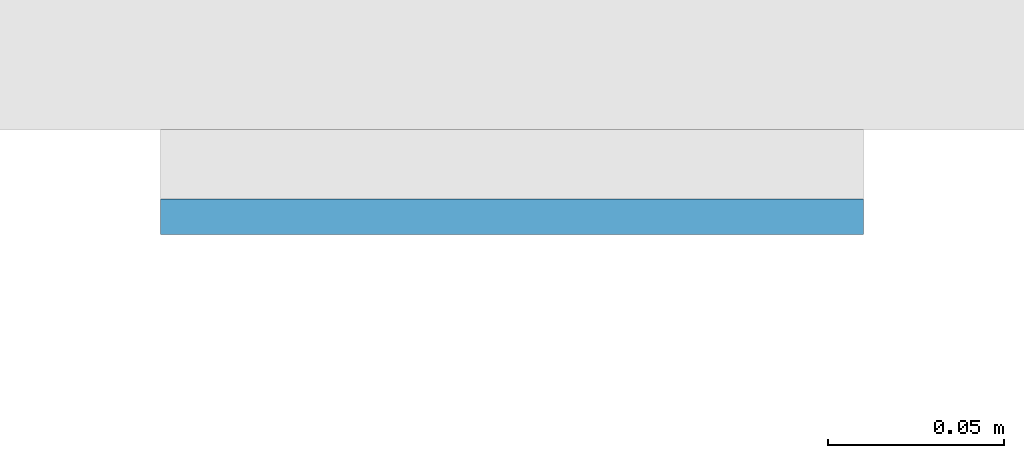
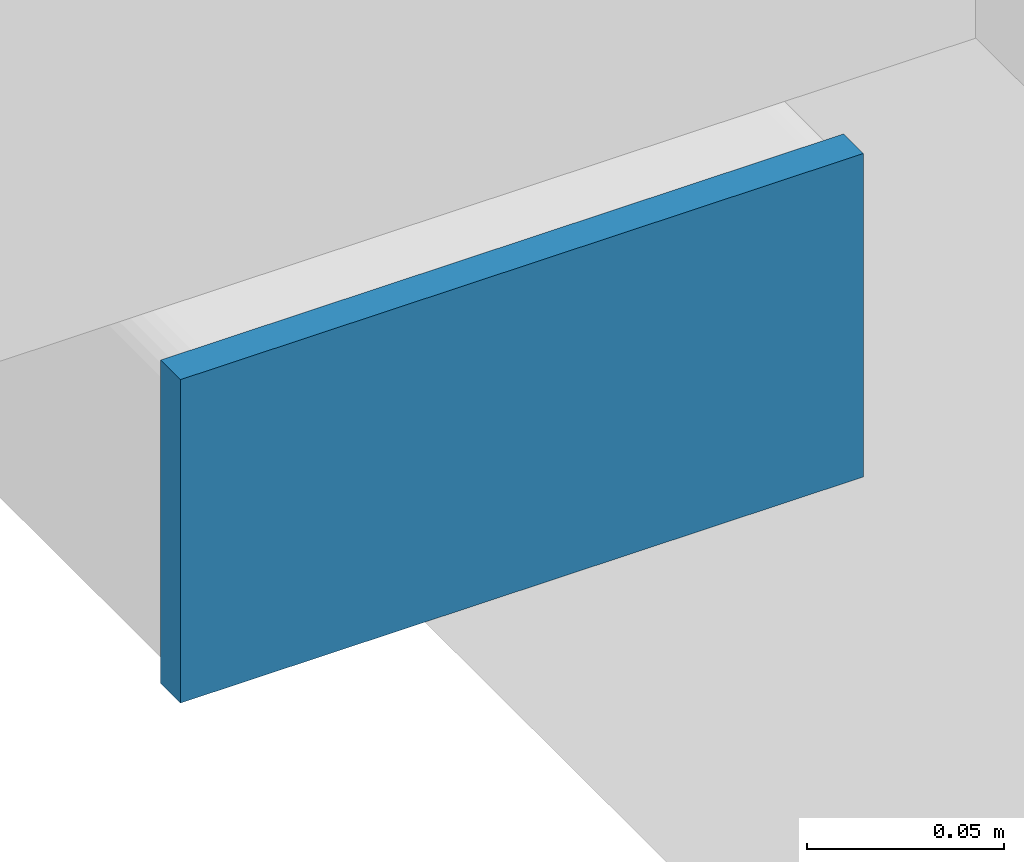
# One storey, part 9 of 17: 1 plate.
"""IFC4 building model written with IfcOpenShell, lengths in metres."""

from ifc_helpers import new_model, si_unit, direction, frame, origin, origin_2d, place, context, subcontext, project, spatial, rectangle, extrude, material, layer, layer_set, type_object, element, save


model = new_model("IFC4")

# Units and contexts
model_context = context("Model", 3, precision=1e-05, world=origin(), true_north=direction((0.0, 1.0)))
body_context = subcontext(model_context, "Body", "Model", "MODEL_VIEW")
ifc_project = project(units=[si_unit("LENGTHUNIT", "METRE"), si_unit("AREAUNIT", "SQUARE_METRE"), si_unit("VOLUMEUNIT", "CUBIC_METRE"), si_unit("PLANEANGLEUNIT", "RADIAN"), si_unit("MASSUNIT", "GRAM", prefix="KILO")], contexts=[model_context])

# Site, building, storey
site_placement = place(None, origin())
site = spatial("IfcSite", under=ifc_project, at=site_placement, CompositionType="ELEMENT")
building_placement = place(site_placement, origin())
building = spatial("IfcBuilding", under=site, at=building_placement, Name="Cleftline Residences", CompositionType="ELEMENT")
storey_placement = place(building_placement, frame((0.0, 0.0, 90.800048828125)))
storey = spatial("IfcBuildingStorey", under=building, at=storey_placement, Name="L23", CompositionType="ELEMENT", Elevation=90.800048828125)

# Plate
ifc_material = material(Name="Steel S355, hot-dip galvanised", Category="steel")
ifc_layer = layer(ifc_material, 0.010009765625)
ifc_layer_set = layer_set([ifc_layer], Name="BAGUETTE CARRIER END PLATE 200X100X10")
plate_type = type_object("IfcPlateType", Name="BAGUETTE CARRIER END PLATE 200X100X10", PredefinedType="USERDEFINED", material=ifc_layer_set)
plate_placement = place(storey_placement, frame((-0.85009765625, 3.695068359375, -0.10009765625), z_axis=(0.0, 0.0, 1.0), x_axis=(-1.0, 0.0, 0.0)))
element("IfcPlate", 1, at=plate_placement, inside=storey, type_object=plate_type, Name="Baguette carrier end plate", ObjectType="BAGUETTE CARRIER END PLATE", PredefinedType="USERDEFINED", context=body_context, shape_type="SweptSolid", body=[
    extrude(rectangle(XDim=0.199951171875, YDim=0.010009765625, at=origin_2d()), origin(), (0.0, 0.0, 1.0), 0.10009765625),
])

save(model, "model.ifc")
